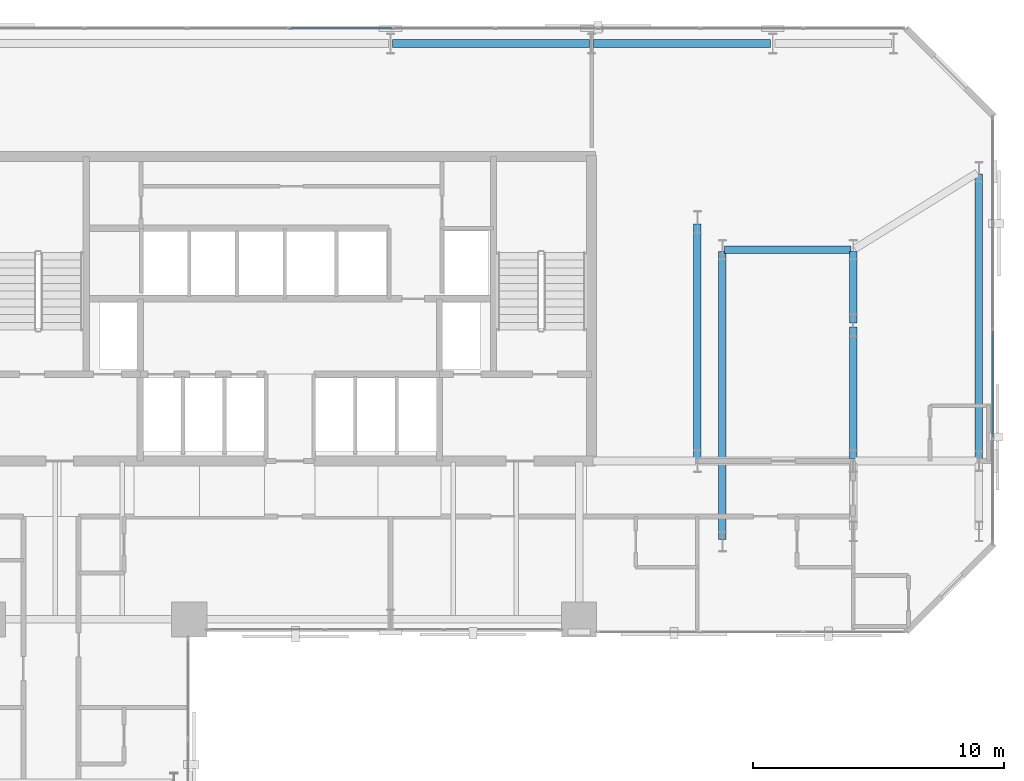
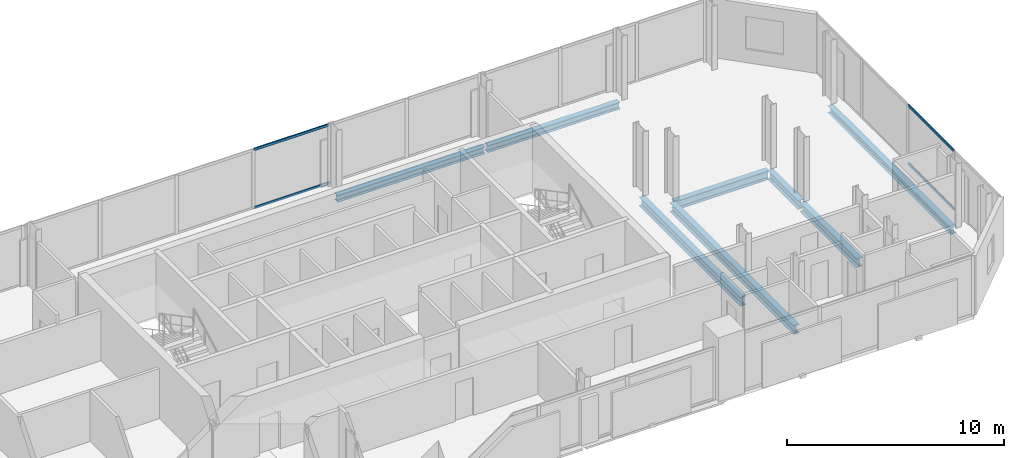
# One storey, part 24 of 33: 8 beams, 4 members, 2 elements without a shape of their own.
"""IFC4 building model written with IfcOpenShell, lengths in metres."""

from ifc_helpers import new_model, si_unit, direction, frame, origin, origin_2d, place, context, subcontext, project, spatial, hollow_rectangle, i_section, extrude, material, layer, layer_set, material_profile, profile_set, type_object, element, aggregate, save


model = new_model("IFC4")

# Units and contexts
model_context = context("Model", 3, precision=1e-05, world=origin(), true_north=direction((0.0, 1.0)))
body_context = subcontext(model_context, "Body", "Model", "MODEL_VIEW")
ifc_project = project(units=[si_unit("LENGTHUNIT", "METRE"), si_unit("AREAUNIT", "SQUARE_METRE"), si_unit("VOLUMEUNIT", "CUBIC_METRE"), si_unit("PLANEANGLEUNIT", "RADIAN"), si_unit("MASSUNIT", "GRAM", prefix="KILO")], contexts=[model_context])

# Site, building, storey
site_placement = place(None, origin())
site = spatial("IfcSite", under=ifc_project, at=site_placement, CompositionType="ELEMENT")
building_placement = place(site_placement, origin())
building = spatial("IfcBuilding", under=site, at=building_placement, Name="Catumbela Crestline Tower", CompositionType="ELEMENT")
storey_placement = place(building_placement, frame((0.0, 0.0, 43.8)))
storey = spatial("IfcBuildingStorey", under=building, at=storey_placement, Name="L10", CompositionType="ELEMENT", Elevation=43.8)

# Beams
ifc_material_1 = material(Name="Structural steel S355J2", Category="steel")
ifc_material_profile_1 = material_profile(ifc_material_1, i_section(OverallWidth=0.3, OverallDepth=0.5, WebThickness=0.0145, FlangeThickness=0.028, FilletRadius=0.027, at=origin_2d()), Name="HEB 500")
ifc_profile_set_1 = profile_set([ifc_material_profile_1], Name="Structural steel S355J2")
beam_type_1 = type_object("IfcBeamType", Name="BG-HEB500", PredefinedType="BEAM", material=ifc_profile_set_1)
beam_1_placement = place(storey_placement, frame((45.28, 39.2, -0.51), z_axis=(1.0, 0.0, 0.0), x_axis=(0.0, 1.0, 0.0)))
element("IfcBeam", 1, at=beam_1_placement, inside=storey, type_object=beam_type_1, Name="L10 Beam BM-L10-N17", PredefinedType="BEAM", context=body_context, shape_type="SweptSolid", body=[
    extrude(i_section(OverallWidth=0.3, OverallDepth=0.5, WebThickness=0.0145, FlangeThickness=0.028, FilletRadius=0.027, at=origin_2d()), origin(), (0.0, 0.0, 1.0), 5.04),
])
beam_2_placement = place(storey_placement, frame((44.2, 30.88, -0.51), z_axis=(0.0, 1.0, 0.0), x_axis=(-1.0, 0.0, 0.0)))
element("IfcBeam", 2, at=beam_2_placement, inside=storey, type_object=beam_type_1, Name="L10 Beam BM-L10-SN35", PredefinedType="BEAM", context=body_context, shape_type="SweptSolid", body=[
    extrude(i_section(OverallWidth=0.3, OverallDepth=0.5, WebThickness=0.0145, FlangeThickness=0.028, FilletRadius=0.027, at=origin_2d()), origin(), (0.0, 0.0, 1.0), 9.34),
])
beam_3_placement = place(storey_placement, frame((45.2, 27.68, -0.51), z_axis=(0.0, 1.0, 0.0), x_axis=(-1.0, 0.0, 0.0)))
element("IfcBeam", 3, at=beam_3_placement, inside=storey, type_object=beam_type_1, Name="L10 Beam BM-L10-SN36", PredefinedType="BEAM", context=body_context, shape_type="SweptSolid", body=[
    extrude(i_section(OverallWidth=0.3, OverallDepth=0.5, WebThickness=0.0145, FlangeThickness=0.028, FilletRadius=0.027, at=origin_2d()), origin(), (0.0, 0.0, 1.0), 11.44),
])
beam_4_placement = place(storey_placement, frame((50.4, 30.88, -0.51), z_axis=(0.0, 1.0, 0.0), x_axis=(-1.0, 0.0, 0.0)))
element("IfcBeam", 4, at=beam_4_placement, inside=storey, type_object=beam_type_1, Name="L10 Beam BM-L10-SN38", PredefinedType="BEAM", context=body_context, shape_type="SweptSolid", body=[
    extrude(i_section(OverallWidth=0.3, OverallDepth=0.5, WebThickness=0.0145, FlangeThickness=0.028, FilletRadius=0.027, at=origin_2d()), origin(), (0.0, 0.0, 1.0), 5.24),
])
beam_5_placement = place(storey_placement, frame((50.4, 36.28, -0.51), z_axis=(0.0, 1.0, 0.0), x_axis=(-1.0, 0.0, 0.0)))
element("IfcBeam", 5, at=beam_5_placement, inside=storey, type_object=beam_type_1, Name="L10 Beam BM-L10-SN39", PredefinedType="BEAM", context=body_context, shape_type="SweptSolid", body=[
    extrude(i_section(OverallWidth=0.3, OverallDepth=0.5, WebThickness=0.0145, FlangeThickness=0.028, FilletRadius=0.027, at=origin_2d()), origin(), (0.0, 0.0, 1.0), 2.84),
])
ifc_material_profile_2 = material_profile(ifc_material_1, i_section(OverallWidth=0.3, OverallDepth=0.39, WebThickness=0.011, FlangeThickness=0.019, FilletRadius=0.027, at=origin_2d()), Name="HEA 400")
ifc_profile_set_2 = profile_set([ifc_material_profile_2], Name="Structural steel S355J2")
beam_type_2 = type_object("IfcBeamType", Name="BS-HEA400", PredefinedType="SPANDREL", material=ifc_profile_set_2)
beam_6_placement = place(storey_placement, frame((32.08, 47.4, -0.455), z_axis=(1.0, 0.0, 0.0), x_axis=(0.0, 1.0, 0.0)))
element("IfcBeam", 6, at=beam_6_placement, inside=storey, type_object=beam_type_2, Name="L10 Spandrel SP-L10-NF22", PredefinedType="SPANDREL", context=body_context, shape_type="SweptSolid", body=[
    extrude(i_section(OverallWidth=0.3, OverallDepth=0.39, WebThickness=0.011, FlangeThickness=0.019, FilletRadius=0.027, at=origin_2d()), origin(), (0.0, 0.0, 1.0), 7.84),
])
beam_7_placement = place(storey_placement, frame((40.08, 47.4, -0.455), z_axis=(1.0, 0.0, 0.0), x_axis=(0.0, 1.0, 0.0)))
element("IfcBeam", 7, at=beam_7_placement, inside=storey, type_object=beam_type_2, Name="L10 Spandrel SP-L10-NF23", PredefinedType="SPANDREL", context=body_context, shape_type="SweptSolid", body=[
    extrude(i_section(OverallWidth=0.3, OverallDepth=0.39, WebThickness=0.011, FlangeThickness=0.019, FilletRadius=0.027, at=origin_2d()), origin(), (0.0, 0.0, 1.0), 7.04),
])
beam_8_placement = place(storey_placement, frame((55.4, 30.88, -0.455), z_axis=(0.0, 1.0, 0.0), x_axis=(-1.0, 0.0, 0.0)))
element("IfcBeam", 8, at=beam_8_placement, inside=storey, type_object=beam_type_2, Name="L10 Spandrel SP-L10-SN41", PredefinedType="SPANDREL", context=body_context, shape_type="SweptSolid", body=[
    extrude(i_section(OverallWidth=0.3, OverallDepth=0.39, WebThickness=0.011, FlangeThickness=0.019, FilletRadius=0.027, at=origin_2d()), origin(), (0.0, 0.0, 1.0), 11.34),
])

# Curtain wall, members
ifc_material_2 = material(Name="Aluminium alloy AW-6060-T66", Category="aluminium")
ifc_layer = layer(ifc_material_2, 0.18, Name="Aluminium alloy AW-6060-T66")
ifc_layer_set = layer_set([ifc_layer], Name="Aluminium alloy AW-6060-T66")
curtain_wall_type = type_object("IfcCurtainWallType", Name="CWU-Z1", PredefinedType="USERDEFINED", material=ifc_layer_set)
curtain_wall_1_placement = place(storey_placement, origin())
curtain_wall_1 = element("IfcCurtainWall", 9, at=curtain_wall_1_placement, inside=storey, type_object=curtain_wall_type, Name="L10 Unitised Curtain Wall CW-L10-E5S1", ObjectType="UNITISED", PredefinedType="USERDEFINED")
ifc_material_profile_3 = material_profile(ifc_material_2, hollow_rectangle(XDim=0.06, YDim=0.14, WallThickness=0.004, at=origin_2d()), Name="ALU 140x60x4")
ifc_profile_set_3 = profile_set([ifc_material_profile_3], Name="Aluminium alloy AW-6060-T66")
member_type = type_object("IfcMemberType", Name="TRN-140X60", PredefinedType="USERDEFINED", material=ifc_profile_set_3)
member_1_placement = place(storey_placement, frame((55.95, 31.7825, 0.03), z_axis=(0.0, 1.0, 0.0), x_axis=(-1.0, 0.0, 0.0)))
member_1 = element("IfcMember", 10, at=member_1_placement, type_object=member_type, Name="CWU-Z1 transom 2.1", ObjectType="TRANSOM", PredefinedType="USERDEFINED", context=body_context, shape_type="SweptSolid", body=[
    extrude(hollow_rectangle(XDim=0.06, YDim=0.14, WallThickness=0.004, at=origin_2d()), origin(), (0.0, 0.0, 1.0), 4.185),
])
member_2_placement = place(storey_placement, frame((55.95, 31.7825, 3.3), z_axis=(0.0, 1.0, 0.0), x_axis=(-1.0, 0.0, 0.0)))
member_2 = element("IfcMember", 11, at=member_2_placement, type_object=member_type, Name="CWU-Z1 transom 2.2", ObjectType="TRANSOM", PredefinedType="USERDEFINED", context=body_context, shape_type="SweptSolid", body=[
    extrude(hollow_rectangle(XDim=0.06, YDim=0.14, WallThickness=0.004, at=origin_2d()), origin(), (0.0, 0.0, 1.0), 4.185),
])
aggregate(curtain_wall_1, [member_1, member_2])

curtain_wall_2_placement = place(storey_placement, origin())
curtain_wall_2 = element("IfcCurtainWall", 12, at=curtain_wall_2_placement, inside=storey, type_object=curtain_wall_type, Name="L10 Unitised Curtain Wall CW-L10-E7S1", ObjectType="UNITISED", PredefinedType="USERDEFINED")
member_3_placement = place(storey_placement, frame((32.0508, 48.0, 0.03), z_axis=(-1.0, 0.0, 0.0), x_axis=(0.0, -1.0, 0.0)))
member_3 = element("IfcMember", 13, at=member_3_placement, type_object=member_type, Name="CWU-Z1 transom 6.1", ObjectType="TRANSOM", PredefinedType="USERDEFINED", context=body_context, shape_type="SweptSolid", body=[
    extrude(hollow_rectangle(XDim=0.06, YDim=0.14, WallThickness=0.004, at=origin_2d()), origin(), (0.0, 0.0, 1.0), 4.0183),
])
member_4_placement = place(storey_placement, frame((32.0508, 48.0, 3.3), z_axis=(-1.0, 0.0, 0.0), x_axis=(0.0, -1.0, 0.0)))
member_4 = element("IfcMember", 14, at=member_4_placement, type_object=member_type, Name="CWU-Z1 transom 6.2", ObjectType="TRANSOM", PredefinedType="USERDEFINED", context=body_context, shape_type="SweptSolid", body=[
    extrude(hollow_rectangle(XDim=0.06, YDim=0.14, WallThickness=0.004, at=origin_2d()), origin(), (0.0, 0.0, 1.0), 4.0183),
])
aggregate(curtain_wall_2, [member_3, member_4])

save(model, "model.ifc")
